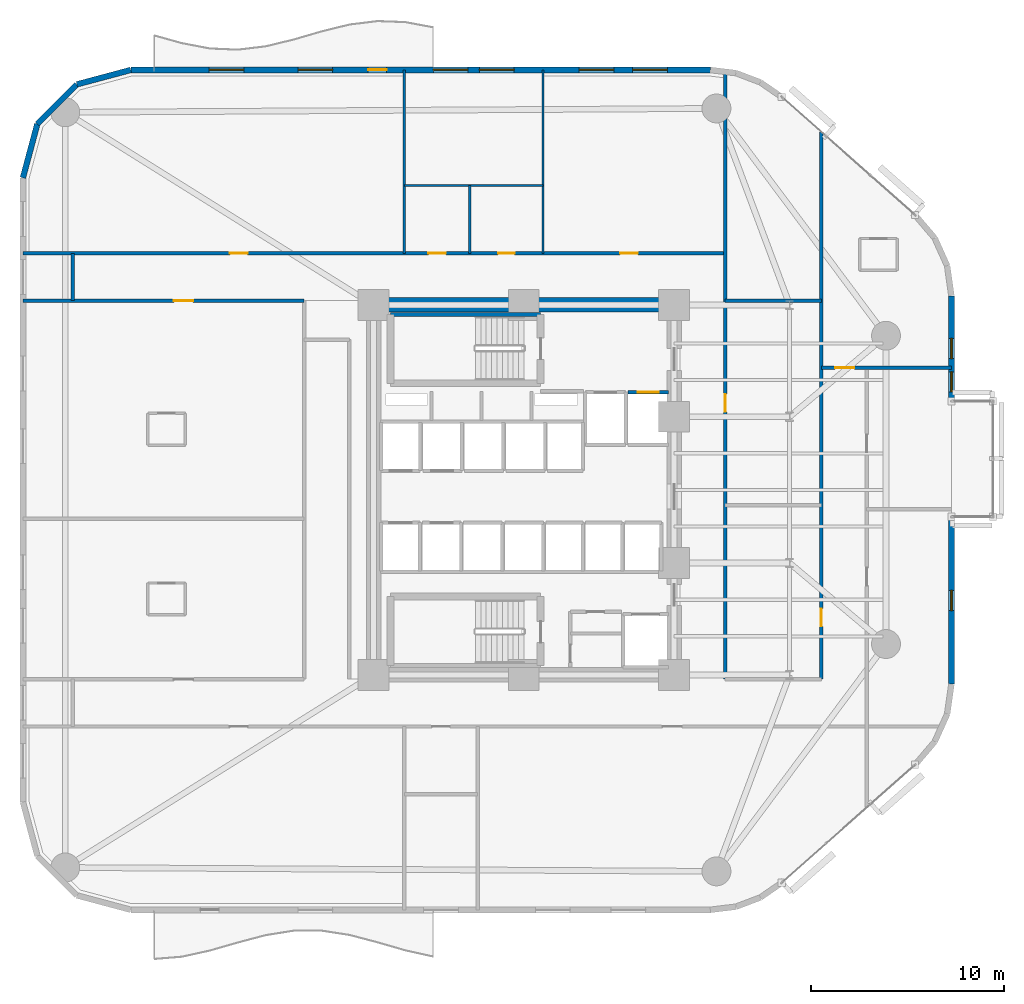
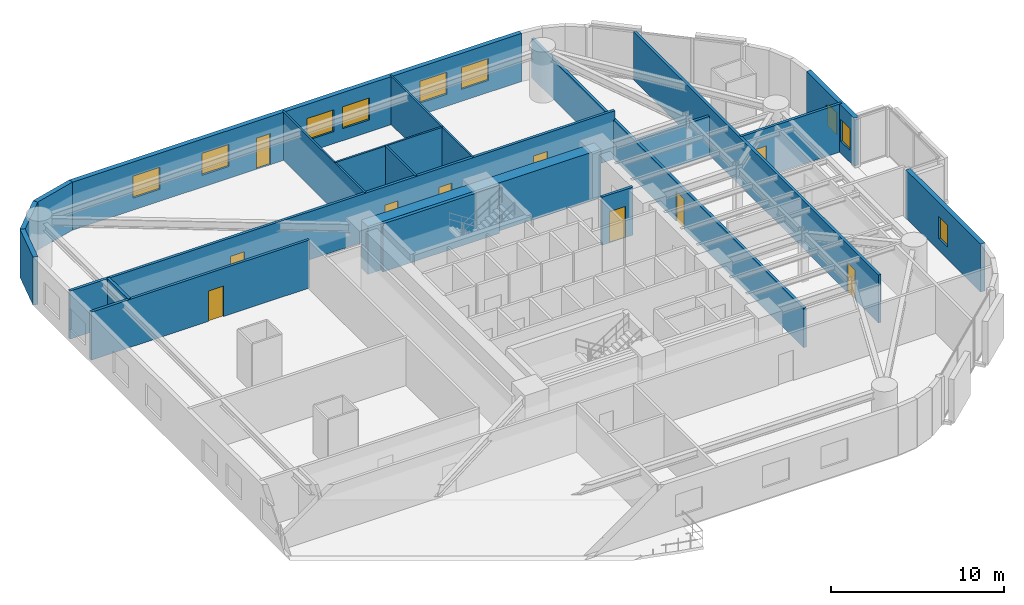
# One storey, part 12 of 16: 20 walls, 10 doors, 9 windows, 19 openings.
"""IFC4 building model written with IfcOpenShell, lengths in metres."""

from ifc_helpers import new_model, si_unit, direction, frame, frame_2d, origin, place, context, subcontext, project, spatial, rectangle, extrude, material, layer, layer_set, type_object, element, fill, save


model = new_model("IFC4")

# Units and contexts
model_context = context("Model", 3, precision=1e-05, world=origin(), true_north=direction((0.0, 1.0)))
body_context = subcontext(model_context, "Body", "Model", "MODEL_VIEW")
ifc_project = project(units=[si_unit("LENGTHUNIT", "METRE"), si_unit("AREAUNIT", "SQUARE_METRE"), si_unit("VOLUMEUNIT", "CUBIC_METRE"), si_unit("PLANEANGLEUNIT", "RADIAN"), si_unit("MASSUNIT", "GRAM", prefix="KILO")], contexts=[model_context])

# Site, building, storey
site_placement = place(None, origin())
site = spatial("IfcSite", under=ifc_project, at=site_placement, CompositionType="ELEMENT")
building_placement = place(site_placement, origin())
building = spatial("IfcBuilding", under=site, at=building_placement, Name="An Khanh Terracotta Commons", CompositionType="ELEMENT")
storey_placement = place(building_placement, frame((0.0, 0.0, 68.39990234375)))
storey = spatial("IfcBuildingStorey", under=building, at=storey_placement, Name="L18", CompositionType="ELEMENT", Elevation=68.39990234375)

# Wall
ifc_material_1 = material(Name="Concrete C70/85", Category="concrete")
ifc_layer_1 = layer(ifc_material_1, 0.75, Name="Concrete C70/85")
ifc_layer_set_1 = layer_set([ifc_layer_1], Name="Concrete C70/85")
wall_type_1 = type_object("IfcWallType", Name="WALL-CORE-750", PredefinedType="SHEAR", material=ifc_layer_set_1)
wall_1_placement = place(storey_placement, frame((21.60009765625, 33.60009765625, 0.0), z_axis=(0.0, 0.0, 1.0), x_axis=(1.0, 0.0, 0.0)))
element("IfcWall", 1, at=wall_1_placement, inside=storey, type_object=wall_type_1, Name="L18 Core Wall CWALL-L18-N", PredefinedType="SHEAR", context=body_context, shape_type="SweptSolid", body=[
    extrude(rectangle(XDim=15.599853515625, YDim=0.75, at=frame_2d((7.7998046875, 0.0))), origin(), (0.0, 0.0, 1.0), 3.400146484375),
])

# Wall, opening, door
ifc_material_2 = material(Name="Fire-Rated Gypsum Board on Steel Stud", Category="steel")
ifc_layer_2 = layer(ifc_material_2, 0.179931640625, Name="Fire-Rated Gypsum Board on Steel Stud")
ifc_layer_set_2 = layer_set([ifc_layer_2], Name="Fire-Rated Gypsum Board on Steel Stud")
wall_type_2 = type_object("IfcWallType", Name="WALL-CORR-180", PredefinedType="PARTITIONING", material=ifc_layer_set_2)
wall_2_placement = place(storey_placement, frame((34.820068359375, 29.080078125, 0.0), z_axis=(0.0, 0.0, 1.0), x_axis=(1.0, 0.0, 0.0)))
wall_2 = element("IfcWall", 2, at=wall_2_placement, inside=storey, type_object=wall_type_2, Name="L18 Core Wall LSH-L18-FFL-02-N", PredefinedType="PARTITIONING", context=body_context, shape_type="SweptSolid", body=[
    extrude(rectangle(XDim=2.079833984375, YDim=0.179931640625, at=frame_2d((1.0400390625, 0.0))), origin(), (0.0, 0.0, 1.0), 3.400146484375),
])
opening_1_placement = place(wall_2_placement, frame((0.489990234375, 0.0, 0.0)))
opening_1 = element("IfcOpeningElement", 3, at=opening_1_placement, cuts=wall_2, Name="Opening LD-FFL-02-L18", PredefinedType="OPENING", context=body_context, shape_type="SweptSolid", body=[
    extrude(rectangle(XDim=1.10009765625, YDim=2.199951171875, at=frame_2d((0.550048828125, 1.10009765625))), frame((0.0, 0.099853515625, 0.0), z_axis=(0.0, -1.0, 0.0), x_axis=(1.0, 0.0, 0.0)), (0.0, 0.0, 1.0), 0.199951171875),
])
ifc_material_3 = material(Name="Brushed Stainless Steel Fire Landing Door", Category="steel")
door_type_1 = type_object("IfcDoorType", Name="DOOR-LD-FFL-1100", OperationType="NOTDEFINED", PredefinedType="DOOR", material=ifc_material_3)
door_1_placement = place(opening_1_placement, origin())
door_1 = element("IfcDoor", 4, at=door_1_placement, inside=storey, type_object=door_type_1, Name="L18 Lift FFL-02 Sliding Landing Door", OperationType="DOUBLE_DOOR_SLIDING", OverallHeight=2.199951171875, OverallWidth=1.10009765625, PredefinedType="DOOR", context=body_context, shape_type="SweptSolid", body=[
    extrude(rectangle(XDim=1.10009765625, YDim=2.199951171875, at=frame_2d((0.550048828125, 1.10009765625))), frame((0.0, 0.02490234375, 0.0), z_axis=(0.0, -1.0, 0.0), x_axis=(1.0, 0.0, 0.0)), (0.0, 0.0, 1.0), 0.050048828125),
])
fill(opening_1, door_1)

wall_3_placement = place(storey_placement, frame((44.85009765625, 30.35009765625, 0.0), z_axis=(0.0, 0.0, 1.0), x_axis=(1.0, 0.0, 0.0)))
wall_3 = element("IfcWall", 5, at=wall_3_placement, inside=storey, type_object=wall_type_2, Name="L18 Interior Partition IW-L18-E008", PredefinedType="PARTITIONING", context=body_context, shape_type="SweptSolid", body=[
    extrude(rectangle(XDim=6.75, YDim=0.179931640625, at=frame_2d((3.375, 0.0))), origin(), (0.0, 0.0, 1.0), 3.400146484375),
])
opening_2_placement = place(wall_3_placement, frame((0.708984375, 0.0, 0.0)))
opening_2 = element("IfcOpeningElement", 6, at=opening_2_placement, cuts=wall_3, Name="Opening D-UN", PredefinedType="OPENING", context=body_context, shape_type="SweptSolid", body=[
    extrude(rectangle(XDim=1.0, YDim=2.14990234375, at=frame_2d((0.5, 1.074951171875))), frame((0.0, 0.099853515625, 0.0), z_axis=(0.0, -1.0, 0.0), x_axis=(1.0, 0.0, 0.0)), (0.0, 0.0, 1.0), 0.199951171875),
])
ifc_material_4 = material(Name="Solid-Core Hardwood Acoustic Fire Door", Category="wood")
door_type_2 = type_object("IfcDoorType", Name="DOOR-UNIT-1000", OperationType="NOTDEFINED", PredefinedType="DOOR", material=ifc_material_4)
door_2_placement = place(opening_2_placement, origin())
door_2 = element("IfcDoor", 7, at=door_2_placement, inside=storey, type_object=door_type_2, Name="L18 NCAP Kitchenette and Studio Apartment Door", OperationType="SINGLE_SWING_RIGHT", OverallHeight=2.14990234375, OverallWidth=1.0, PredefinedType="DOOR", context=body_context, shape_type="SweptSolid", body=[
    extrude(rectangle(XDim=1.0, YDim=2.14990234375, at=frame_2d((0.5, 1.074951171875))), frame((0.0, 0.02490234375, 0.0), z_axis=(0.0, -1.0, 0.0), x_axis=(1.0, 0.0, 0.0)), (0.0, 0.0, 1.0), 0.050048828125),
])
fill(opening_2, door_2)

wall_4_placement = place(storey_placement, frame((3.39990234375, 33.820068359375, 0.0), z_axis=(0.0, 0.0, 1.0), x_axis=(1.0, 0.0, 0.0)))
wall_4 = element("IfcWall", 8, at=wall_4_placement, inside=storey, type_object=wall_type_2, Name="L18 Interior Partition IW-L18-E010", PredefinedType="PARTITIONING", context=body_context, shape_type="SweptSolid", body=[
    extrude(rectangle(XDim=14.60009765625, YDim=0.179931640625, at=frame_2d((7.300048828125, 0.0))), origin(), (0.0, 0.0, 1.0), 3.400146484375),
])
opening_3_placement = place(wall_4_placement, frame((7.840087890625, 0.0, 0.0)))
opening_3 = element("IfcOpeningElement", 9, at=opening_3_placement, cuts=wall_4, Name="Opening D-UN", PredefinedType="OPENING", context=body_context, shape_type="SweptSolid", body=[
    extrude(rectangle(XDim=1.0, YDim=2.14990234375, at=frame_2d((0.5, 1.074951171875))), frame((0.0, 0.099853515625, 0.0), z_axis=(0.0, -1.0, 0.0), x_axis=(1.0, 0.0, 0.0)), (0.0, 0.0, 1.0), 0.199951171875),
])
door_3_placement = place(opening_3_placement, origin())
door_3 = element("IfcDoor", 10, at=door_3_placement, inside=storey, type_object=door_type_2, Name="L18 WW2 Kitchenette and Studio Apartment Door", OperationType="SINGLE_SWING_RIGHT", OverallHeight=2.14990234375, OverallWidth=1.0, PredefinedType="DOOR", context=body_context, shape_type="SweptSolid", body=[
    extrude(rectangle(XDim=1.0, YDim=2.14990234375, at=frame_2d((0.5, 1.074951171875))), frame((0.0, 0.02490234375, 0.0), z_axis=(0.0, -1.0, 0.0), x_axis=(1.0, 0.0, 0.0)), (0.0, 0.0, 1.0), 0.050048828125),
])
fill(opening_3, door_3)

# Wall
wall_5_placement = place(storey_placement, frame((39.85009765625, 33.820068359375, 0.0), z_axis=(0.0, 0.0, 1.0), x_axis=(1.0, 0.0, 0.0)))
element("IfcWall", 11, at=wall_5_placement, inside=storey, type_object=wall_type_2, Name="L18 Interior Partition IW-L18-E011", PredefinedType="PARTITIONING", context=body_context, shape_type="SweptSolid", body=[
    extrude(rectangle(XDim=5.0, YDim=0.179931640625, at=frame_2d((2.5, 0.0))), origin(), (0.0, 0.0, 1.0), 2.781982421875),
])

# Wall, openings, doors
wall_6_placement = place(storey_placement, frame((3.39990234375, 36.280029296875, 0.0), z_axis=(0.0, 0.0, 1.0), x_axis=(1.0, 0.0, 0.0)))
wall_6 = element("IfcWall", 12, at=wall_6_placement, inside=storey, type_object=wall_type_2, Name="L18 Interior Partition IW-L18-E012", PredefinedType="PARTITIONING", context=body_context, shape_type="SweptSolid", body=[
    extrude(rectangle(XDim=36.4501953125, YDim=0.179931640625, at=frame_2d((18.22509765625, 0.0))), origin(), (0.0, 0.0, 1.0), 3.400146484375),
])
opening_4_placement = place(wall_6_placement, frame((21.050048828125, 0.0, 0.0)))
opening_4 = element("IfcOpeningElement", 13, at=opening_4_placement, cuts=wall_6, Name="Opening D-WC", PredefinedType="OPENING", context=body_context, shape_type="SweptSolid", body=[
    extrude(rectangle(XDim=0.89990234375, YDim=2.10009765625, at=frame_2d((0.449951171875, 1.050048828125))), frame((0.0, 0.099853515625, 0.0), z_axis=(0.0, -1.0, 0.0), x_axis=(1.0, 0.0, 0.0)), (0.0, 0.0, 1.0), 0.199951171875),
])
opening_5_placement = place(wall_6_placement, frame((24.669921875, 0.0, 0.0)))
opening_5 = element("IfcOpeningElement", 14, at=opening_5_placement, cuts=wall_6, Name="Opening D-ENS", PredefinedType="OPENING", context=body_context, shape_type="SweptSolid", body=[
    extrude(rectangle(XDim=0.860107421875, YDim=2.10009765625, at=frame_2d((0.43017578125, 1.050048828125))), frame((0.0, 0.099853515625, 0.0), z_axis=(0.0, -1.0, 0.0), x_axis=(1.0, 0.0, 0.0)), (0.0, 0.0, 1.0), 0.199951171875),
])
opening_6_placement = place(wall_6_placement, frame((10.739990234375, 0.0, 0.0)))
opening_6 = element("IfcOpeningElement", 15, at=opening_6_placement, cuts=wall_6, Name="Opening D-RM", PredefinedType="OPENING", context=body_context, shape_type="SweptSolid", body=[
    extrude(rectangle(XDim=0.919921875, YDim=2.10009765625, at=frame_2d((0.4599609375, 1.050048828125))), frame((0.0, 0.099853515625, 0.0), z_axis=(0.0, -1.0, 0.0), x_axis=(1.0, 0.0, 0.0)), (0.0, 0.0, 1.0), 0.199951171875),
])
opening_7_placement = place(wall_6_placement, frame((31.0048828125, 0.0, 0.0)))
opening_7 = element("IfcOpeningElement", 16, at=opening_7_placement, cuts=wall_6, Name="Opening D-RM", PredefinedType="OPENING", context=body_context, shape_type="SweptSolid", body=[
    extrude(rectangle(XDim=0.919921875, YDim=2.10009765625, at=frame_2d((0.4599609375, 1.050048828125))), frame((0.0, 0.099853515625, 0.0), z_axis=(0.0, -1.0, 0.0), x_axis=(1.0, 0.0, 0.0)), (0.0, 0.0, 1.0), 0.199951171875),
])
ifc_material_5 = material(Name="Moisture-Resistant Hardwood Timber Leaf", Category="wood")
door_type_3 = type_object("IfcDoorType", Name="DOOR-BATH-860", OperationType="NOTDEFINED", PredefinedType="DOOR", material=ifc_material_5)
door_4_placement = place(opening_5_placement, origin())
door_4 = element("IfcDoor", 17, at=door_4_placement, inside=storey, type_object=door_type_3, Name="L18 SHW Resident Shared Shower and Washroom Door", OperationType="SINGLE_SWING_RIGHT", OverallHeight=2.10009765625, OverallWidth=0.860107421875, PredefinedType="DOOR", context=body_context, shape_type="SweptSolid", body=[
    extrude(rectangle(XDim=0.860107421875, YDim=2.10009765625, at=frame_2d((0.43017578125, 1.050048828125))), frame((0.0, 0.02490234375, 0.0), z_axis=(0.0, -1.0, 0.0), x_axis=(1.0, 0.0, 0.0)), (0.0, 0.0, 1.0), 0.050048828125),
])
fill(opening_5, door_4)
ifc_material_6 = material(Name="Engineered Hardwood Timber Leaf", Category="wood")
door_type_4 = type_object("IfcDoorType", Name="DOOR-INT-920", OperationType="NOTDEFINED", PredefinedType="DOOR", material=ifc_material_6)
door_5_placement = place(opening_6_placement, origin())
door_5 = element("IfcDoor", 18, at=door_5_placement, inside=storey, type_object=door_type_4, Name="L18 NW1 Academic Seminar Room Door", OperationType="SINGLE_SWING_LEFT", OverallHeight=2.10009765625, OverallWidth=0.919921875, PredefinedType="DOOR", context=body_context, shape_type="SweptSolid", body=[
    extrude(rectangle(XDim=0.919921875, YDim=2.10009765625, at=frame_2d((0.4599609375, 1.050048828125))), frame((0.0, 0.02490234375, 0.0), z_axis=(0.0, -1.0, 0.0), x_axis=(1.0, 0.0, 0.0)), (0.0, 0.0, 1.0), 0.050048828125),
])
fill(opening_6, door_5)
door_6_placement = place(opening_7_placement, origin())
door_6 = element("IfcDoor", 19, at=door_6_placement, inside=storey, type_object=door_type_4, Name="L18 NWE Academic Seminar Room Door", OperationType="SINGLE_SWING_RIGHT", OverallHeight=2.10009765625, OverallWidth=0.919921875, PredefinedType="DOOR", context=body_context, shape_type="SweptSolid", body=[
    extrude(rectangle(XDim=0.919921875, YDim=2.10009765625, at=frame_2d((0.4599609375, 1.050048828125))), frame((0.0, 0.02490234375, 0.0), z_axis=(0.0, -1.0, 0.0), x_axis=(1.0, 0.0, 0.0)), (0.0, 0.0, 1.0), 0.050048828125),
])
fill(opening_7, door_6)
ifc_material_7 = material(Name="Laminate Moisture-Resistant Timber Leaf", Category="wood")
door_type_5 = type_object("IfcDoorType", Name="DOOR-WC-900", OperationType="NOTDEFINED", PredefinedType="DOOR", material=ifc_material_7)
door_7_placement = place(opening_4_placement, origin())
door_7 = element("IfcDoor", 20, at=door_7_placement, inside=storey, type_object=door_type_5, Name="L18 AWC Accessible WC Door", OperationType="SINGLE_SWING_LEFT", OverallHeight=2.10009765625, OverallWidth=0.89990234375, PredefinedType="DOOR", context=body_context, shape_type="SweptSolid", body=[
    extrude(rectangle(XDim=0.89990234375, YDim=2.10009765625, at=frame_2d((0.449951171875, 1.050048828125))), frame((0.0, 0.02490234375, 0.0), z_axis=(0.0, -1.0, 0.0), x_axis=(1.0, 0.0, 0.0)), (0.0, 0.0, 1.0), 0.050048828125),
])
fill(opening_4, door_7)

# Wall
wall_7_placement = place(storey_placement, frame((6.0, 33.820068359375, 0.0), z_axis=(0.0, 0.0, 1.0), x_axis=(0.0, 1.0, 0.0)))
element("IfcWall", 21, at=wall_7_placement, inside=storey, type_object=wall_type_2, Name="L18 Interior Partition IW-L18-E015", PredefinedType="PARTITIONING", context=body_context, shape_type="SweptSolid", body=[
    extrude(rectangle(XDim=2.4599609375, YDim=0.179931640625, at=frame_2d((1.22998046875, 0.0))), origin(), (0.0, 0.0, 1.0), 3.400146484375),
])

# Wall, opening, door
wall_8_placement = place(storey_placement, frame((39.85009765625, 14.179931640625, 0.0), z_axis=(0.0, 0.0, 1.0), x_axis=(0.0, 1.0, 0.0)))
wall_8 = element("IfcWall", 22, at=wall_8_placement, inside=storey, type_object=wall_type_2, Name="L18 Interior Partition IW-L18-E023", PredefinedType="PARTITIONING", context=body_context, shape_type="SweptSolid", body=[
    extrude(rectangle(XDim=31.527099609375, YDim=0.179931640625, at=frame_2d((15.763671875, 0.0))), origin(), (0.0, 0.0, 1.0), 2.781982421875),
])
opening_8_placement = place(wall_8_placement, frame((13.8701171875, 0.0, 0.0)))
opening_8 = element("IfcOpeningElement", 23, at=opening_8_placement, cuts=wall_8, Name="Opening D-RM", PredefinedType="OPENING", context=body_context, shape_type="SweptSolid", body=[
    extrude(rectangle(XDim=0.919921875, YDim=2.10009765625, at=frame_2d((0.4599609375, 1.050048828125))), frame((0.0, 0.099853515625, 0.0), z_axis=(0.0, -1.0, 0.0), x_axis=(1.0, 0.0, 0.0)), (0.0, 0.0, 1.0), 0.199951171875),
])
door_8_placement = place(opening_8_placement, origin())
door_8 = element("IfcDoor", 24, at=door_8_placement, inside=storey, type_object=door_type_4, Name="L18 WSP2 Academic Seminar Room Door", OperationType="SINGLE_SWING_LEFT", OverallHeight=2.10009765625, OverallWidth=0.919921875, PredefinedType="DOOR", context=body_context, shape_type="SweptSolid", body=[
    extrude(rectangle(XDim=0.919921875, YDim=2.10009765625, at=frame_2d((0.4599609375, 1.050048828125))), frame((0.0, 0.02490234375, 0.0), z_axis=(0.0, -1.0, 0.0), x_axis=(1.0, 0.0, 0.0)), (0.0, 0.0, 1.0), 0.050048828125),
])
fill(opening_8, door_8)

wall_9_placement = place(storey_placement, frame((44.85009765625, 14.179931640625, 0.0), z_axis=(0.0, 0.0, 1.0), x_axis=(0.0, 1.0, 0.0)))
wall_9 = element("IfcWall", 25, at=wall_9_placement, inside=storey, type_object=wall_type_2, Name="L18 Interior Partition IW-L18-E024", PredefinedType="PARTITIONING", context=body_context, shape_type="SweptSolid", body=[
    extrude(rectangle(XDim=28.39111328125, YDim=0.179931640625, at=frame_2d((14.195556640625, 0.0))), origin(), (0.0, 0.0, 1.0), 3.400146484375),
])
opening_9_placement = place(wall_9_placement, frame((2.73388671875, 0.0, 0.0)))
opening_9 = element("IfcOpeningElement", 26, at=opening_9_placement, cuts=wall_9, Name="Opening D-RM", PredefinedType="OPENING", context=body_context, shape_type="SweptSolid", body=[
    extrude(rectangle(XDim=0.919921875, YDim=2.10009765625, at=frame_2d((0.4599609375, 1.050048828125))), frame((0.0, 0.099853515625, 0.0), z_axis=(0.0, -1.0, 0.0), x_axis=(1.0, 0.0, 0.0)), (0.0, 0.0, 1.0), 0.199951171875),
])
door_9_placement = place(opening_9_placement, origin())
door_9 = element("IfcDoor", 27, at=door_9_placement, inside=storey, type_object=door_type_4, Name="L18 WSP1 Collaborative Study Lounge Door", OperationType="SINGLE_SWING_RIGHT", OverallHeight=2.10009765625, OverallWidth=0.919921875, PredefinedType="DOOR", context=body_context, shape_type="SweptSolid", body=[
    extrude(rectangle(XDim=0.919921875, YDim=2.10009765625, at=frame_2d((0.4599609375, 1.050048828125))), frame((0.0, 0.02490234375, 0.0), z_axis=(0.0, -1.0, 0.0), x_axis=(1.0, 0.0, 0.0)), (0.0, 0.0, 1.0), 0.050048828125),
])
fill(opening_9, door_9)

# Wall, opening, window
ifc_material_8 = material(Name="Precast concrete C40/50", Category="concrete")
ifc_layer_3 = layer(ifc_material_8, 0.300048828125, Name="Precast concrete C40/50")
ifc_layer_set_3 = layer_set([ifc_layer_3], Name="Precast concrete C40/50")
wall_type_3 = type_object("IfcWallType", Name="WALL-EXT-300", PredefinedType="SOLIDWALL", material=ifc_layer_set_3)
wall_10_placement = place(storey_placement, frame((51.60009765625, 13.923095703125, 0.0), z_axis=(0.0, 0.0, 1.0), x_axis=(0.0, 1.0, 0.0)))
wall_10 = element("IfcWall", 28, at=wall_10_placement, inside=storey, type_object=wall_type_3, Name="L18 East Nose Wall South", PredefinedType="SOLIDWALL", context=body_context, shape_type="SweptSolid", body=[
    extrude(rectangle(XDim=8.677001953125, YDim=0.300048828125, at=frame_2d((4.33837890625, 0.0))), origin(), (0.0, 0.0, 1.0), 3.400146484375),
])
opening_10_placement = place(wall_10_placement, frame((3.81396484375, 0.0, 0.85009765625)))
opening_10 = element("IfcOpeningElement", 29, at=opening_10_placement, cuts=wall_10, Name="Opening W-06", PredefinedType="OPENING", context=body_context, shape_type="SweptSolid", body=[
    extrude(rectangle(XDim=1.050048828125, YDim=1.550048828125, at=frame_2d((0.52490234375, 0.77490234375))), frame((0.0, 0.159912109375, 0.0), z_axis=(0.0, -1.0, 0.0), x_axis=(1.0, 0.0, 0.0)), (0.0, 0.0, 1.0), 0.320068359375),
])
ifc_material_9 = material(Name="Thermally Broken Aluminium and Low-E Glass", Category="aluminium")
window_type_1 = type_object("IfcWindowType", Name="WIN-COR-1050x1550", PartitioningType="SINGLE_PANEL", PredefinedType="WINDOW", material=ifc_material_9)
window_1_placement = place(opening_10_placement, origin())
window_1 = element("IfcWindow", 30, at=window_1_placement, inside=storey, type_object=window_type_1, Name="L18 East Nose South Casement Window", OverallHeight=1.550048828125, OverallWidth=1.050048828125, PartitioningType="SINGLE_PANEL", PredefinedType="WINDOW", context=body_context, shape_type="SweptSolid", body=[
    extrude(rectangle(XDim=1.050048828125, YDim=1.550048828125, at=frame_2d((0.52490234375, 0.77490234375))), frame((0.0, 0.030029296875, 0.0), z_axis=(0.0, -1.0, 0.0), x_axis=(1.0, 0.0, 0.0)), (0.0, 0.0, 1.0), 0.06005859375),
])
fill(opening_10, window_1)

# Wall, openings, windows
wall_11_placement = place(storey_placement, frame((51.60009765625, 28.60009765625, 0.0), z_axis=(0.0, 0.0, 1.0), x_axis=(0.0, 1.0, 0.0)))
wall_11 = element("IfcWall", 31, at=wall_11_placement, inside=storey, type_object=wall_type_3, Name="L18 East Nose Wall North", PredefinedType="SOLIDWALL", context=body_context, shape_type="SweptSolid", body=[
    extrude(rectangle(XDim=5.476806640625, YDim=0.300048828125, at=frame_2d((2.73828125, 0.0))), origin(), (0.0, 0.0, 1.0), 3.400146484375),
])
opening_11_placement = place(wall_11_placement, frame((2.212890625, 0.0, 0.85009765625)))
opening_11 = element("IfcOpeningElement", 32, at=opening_11_placement, cuts=wall_11, Name="Opening W-06", PredefinedType="OPENING", context=body_context, shape_type="SweptSolid", body=[
    extrude(rectangle(XDim=1.050048828125, YDim=1.550048828125, at=frame_2d((0.52490234375, 0.77490234375))), frame((0.0, 0.159912109375, 0.0), z_axis=(0.0, -1.0, 0.0), x_axis=(1.0, 0.0, 0.0)), (0.0, 0.0, 1.0), 0.320068359375),
])
opening_12_placement = place(wall_11_placement, frame((0.48291015625, 0.0, 0.85009765625)))
opening_12 = element("IfcOpeningElement", 33, at=opening_12_placement, cuts=wall_11, Name="Opening W-06", PredefinedType="OPENING", context=body_context, shape_type="SweptSolid", body=[
    extrude(rectangle(XDim=1.050048828125, YDim=1.550048828125, at=frame_2d((0.52490234375, 0.77490234375))), frame((0.0, 0.159912109375, 0.0), z_axis=(0.0, -1.0, 0.0), x_axis=(1.0, 0.0, 0.0)), (0.0, 0.0, 1.0), 0.320068359375),
])
window_2_placement = place(opening_11_placement, origin())
window_2 = element("IfcWindow", 34, at=window_2_placement, inside=storey, type_object=window_type_1, Name="L18 East Nose North Casement Window", OverallHeight=1.550048828125, OverallWidth=1.050048828125, PartitioningType="SINGLE_PANEL", PredefinedType="WINDOW", context=body_context, shape_type="SweptSolid", body=[
    extrude(rectangle(XDim=1.050048828125, YDim=1.550048828125, at=frame_2d((0.52490234375, 0.77490234375))), frame((0.0, 0.030029296875, 0.0), z_axis=(0.0, -1.0, 0.0), x_axis=(1.0, 0.0, 0.0)), (0.0, 0.0, 1.0), 0.06005859375),
])
fill(opening_11, window_2)
window_3_placement = place(opening_12_placement, origin())
window_3 = element("IfcWindow", 35, at=window_3_placement, inside=storey, type_object=window_type_1, Name="L18 L18-ENO1 Dwelling Casement Window", OverallHeight=1.550048828125, OverallWidth=1.050048828125, PartitioningType="SINGLE_PANEL", PredefinedType="WINDOW", context=body_context, shape_type="SweptSolid", body=[
    extrude(rectangle(XDim=1.050048828125, YDim=1.550048828125, at=frame_2d((0.52490234375, 0.77490234375))), frame((0.0, 0.030029296875, 0.0), z_axis=(0.0, -1.0, 0.0), x_axis=(1.0, 0.0, 0.0)), (0.0, 0.0, 1.0), 0.06005859375),
])
fill(opening_12, window_3)

# Wall, openings, door, windows
wall_12_placement = place(storey_placement, frame((39.0791015625, 45.800048828125, 0.0), z_axis=(0.0, 0.0, 1.0), x_axis=(-1.0, 0.0, 0.0)))
wall_12 = element("IfcWall", 36, at=wall_12_placement, inside=storey, type_object=wall_type_3, Name="L18 Insulated Terracotta Exterior Wall 20", PredefinedType="SOLIDWALL", context=body_context, shape_type="SweptSolid", body=[
    extrude(rectangle(XDim=30.0791015625, YDim=0.300048828125, at=frame_2d((15.03955078125, 0.0))), origin(), (0.0, 0.0, 1.0), 3.400146484375),
])
opening_13_placement = place(wall_12_placement, frame((16.803955078125, 0.0, 0.0)))
opening_13 = element("IfcOpeningElement", 37, at=opening_13_placement, cuts=wall_12, Name="Opening D-BAL", PredefinedType="OPENING", context=body_context, shape_type="SweptSolid", body=[
    extrude(rectangle(XDim=0.949951171875, YDim=2.199951171875, at=frame_2d((0.47509765625, 1.10009765625))), frame((0.0, 0.159912109375, 0.0), z_axis=(0.0, -1.0, 0.0), x_axis=(1.0, 0.0, 0.0)), (0.0, 0.0, 1.0), 0.320068359375),
])
opening_14_placement = place(wall_12_placement, frame((2.22607421875, 0.0, 0.85009765625)))
opening_14 = element("IfcOpeningElement", 38, at=opening_14_placement, cuts=wall_12, Name="Opening W-01", PredefinedType="OPENING", context=body_context, shape_type="SweptSolid", body=[
    extrude(rectangle(XDim=1.800048828125, YDim=1.550048828125, at=frame_2d((0.89990234375, 0.77490234375))), frame((0.0, 0.159912109375, 0.0), z_axis=(0.0, -1.0, 0.0), x_axis=(1.0, 0.0, 0.0)), (0.0, 0.0, 1.0), 0.320068359375),
])
opening_15_placement = place(wall_12_placement, frame((5.0029296875, 0.0, 0.85009765625)))
opening_15 = element("IfcOpeningElement", 39, at=opening_15_placement, cuts=wall_12, Name="Opening W-01", PredefinedType="OPENING", context=body_context, shape_type="SweptSolid", body=[
    extrude(rectangle(XDim=1.800048828125, YDim=1.550048828125, at=frame_2d((0.89990234375, 0.77490234375))), frame((0.0, 0.159912109375, 0.0), z_axis=(0.0, -1.0, 0.0), x_axis=(1.0, 0.0, 0.0)), (0.0, 0.0, 1.0), 0.320068359375),
])
opening_16_placement = place(wall_12_placement, frame((10.178955078125, 0.0, 0.85009765625)))
opening_16 = element("IfcOpeningElement", 40, at=opening_16_placement, cuts=wall_12, Name="Opening W-01", PredefinedType="OPENING", context=body_context, shape_type="SweptSolid", body=[
    extrude(rectangle(XDim=1.800048828125, YDim=1.550048828125, at=frame_2d((0.89990234375, 0.77490234375))), frame((0.0, 0.159912109375, 0.0), z_axis=(0.0, -1.0, 0.0), x_axis=(1.0, 0.0, 0.0)), (0.0, 0.0, 1.0), 0.320068359375),
])
opening_17_placement = place(wall_12_placement, frame((12.5791015625, 0.0, 0.85009765625)))
opening_17 = element("IfcOpeningElement", 41, at=opening_17_placement, cuts=wall_12, Name="Opening W-01", PredefinedType="OPENING", context=body_context, shape_type="SweptSolid", body=[
    extrude(rectangle(XDim=1.800048828125, YDim=1.550048828125, at=frame_2d((0.89990234375, 0.77490234375))), frame((0.0, 0.159912109375, 0.0), z_axis=(0.0, -1.0, 0.0), x_axis=(1.0, 0.0, 0.0)), (0.0, 0.0, 1.0), 0.320068359375),
])
opening_18_placement = place(wall_12_placement, frame((19.595947265625, 0.0, 0.85009765625)))
opening_18 = element("IfcOpeningElement", 42, at=opening_18_placement, cuts=wall_12, Name="Opening W-01", PredefinedType="OPENING", context=body_context, shape_type="SweptSolid", body=[
    extrude(rectangle(XDim=1.800048828125, YDim=1.550048828125, at=frame_2d((0.89990234375, 0.77490234375))), frame((0.0, 0.159912109375, 0.0), z_axis=(0.0, -1.0, 0.0), x_axis=(1.0, 0.0, 0.0)), (0.0, 0.0, 1.0), 0.320068359375),
])
opening_19_placement = place(wall_12_placement, frame((24.2119140625, 0.0, 0.85009765625)))
opening_19 = element("IfcOpeningElement", 43, at=opening_19_placement, cuts=wall_12, Name="Opening W-01", PredefinedType="OPENING", context=body_context, shape_type="SweptSolid", body=[
    extrude(rectangle(XDim=1.800048828125, YDim=1.550048828125, at=frame_2d((0.89990234375, 0.77490234375))), frame((0.0, 0.159912109375, 0.0), z_axis=(0.0, -1.0, 0.0), x_axis=(1.0, 0.0, 0.0)), (0.0, 0.0, 1.0), 0.320068359375),
])
door_type_6 = type_object("IfcDoorType", Name="DOOR-BALC-950", OperationType="NOTDEFINED", PredefinedType="DOOR", material=ifc_material_9)
door_10_placement = place(opening_13_placement, origin())
door_10 = element("IfcDoor", 44, at=door_10_placement, inside=storey, type_object=door_type_6, Name="L18 N Wave Balcony Glazed Door", OperationType="SINGLE_SWING_RIGHT", OverallHeight=2.199951171875, OverallWidth=0.949951171875, PredefinedType="DOOR", context=body_context, shape_type="SweptSolid", body=[
    extrude(rectangle(XDim=0.949951171875, YDim=2.199951171875, at=frame_2d((0.47509765625, 1.10009765625))), frame((0.0, 0.02490234375, 0.0), z_axis=(0.0, -1.0, 0.0), x_axis=(1.0, 0.0, 0.0)), (0.0, 0.0, 1.0), 0.050048828125),
])
fill(opening_13, door_10)
window_type_2 = type_object("IfcWindowType", Name="WIN-Z1-1800x1550", PartitioningType="DOUBLE_PANEL_VERTICAL", PredefinedType="WINDOW", material=ifc_material_9)
window_4_placement = place(opening_14_placement, origin())
window_4 = element("IfcWindow", 45, at=window_4_placement, inside=storey, type_object=window_type_2, Name="L18 Operable Casement Window 20.1", OverallHeight=1.550048828125, OverallWidth=1.800048828125, PartitioningType="DOUBLE_PANEL_VERTICAL", PredefinedType="WINDOW", context=body_context, shape_type="SweptSolid", body=[
    extrude(rectangle(XDim=1.800048828125, YDim=1.550048828125, at=frame_2d((0.89990234375, 0.77490234375))), frame((0.0, 0.030029296875, 0.0), z_axis=(0.0, -1.0, 0.0), x_axis=(1.0, 0.0, 0.0)), (0.0, 0.0, 1.0), 0.06005859375),
])
fill(opening_14, window_4)
window_5_placement = place(opening_15_placement, origin())
window_5 = element("IfcWindow", 46, at=window_5_placement, inside=storey, type_object=window_type_2, Name="L18 Operable Casement Window 20.2", OverallHeight=1.550048828125, OverallWidth=1.800048828125, PartitioningType="DOUBLE_PANEL_VERTICAL", PredefinedType="WINDOW", context=body_context, shape_type="SweptSolid", body=[
    extrude(rectangle(XDim=1.800048828125, YDim=1.550048828125, at=frame_2d((0.89990234375, 0.77490234375))), frame((0.0, 0.030029296875, 0.0), z_axis=(0.0, -1.0, 0.0), x_axis=(1.0, 0.0, 0.0)), (0.0, 0.0, 1.0), 0.06005859375),
])
fill(opening_15, window_5)
window_6_placement = place(opening_16_placement, origin())
window_6 = element("IfcWindow", 47, at=window_6_placement, inside=storey, type_object=window_type_2, Name="L18 Operable Casement Window 20.3", OverallHeight=1.550048828125, OverallWidth=1.800048828125, PartitioningType="DOUBLE_PANEL_VERTICAL", PredefinedType="WINDOW", context=body_context, shape_type="SweptSolid", body=[
    extrude(rectangle(XDim=1.800048828125, YDim=1.550048828125, at=frame_2d((0.89990234375, 0.77490234375))), frame((0.0, 0.030029296875, 0.0), z_axis=(0.0, -1.0, 0.0), x_axis=(1.0, 0.0, 0.0)), (0.0, 0.0, 1.0), 0.06005859375),
])
fill(opening_16, window_6)
window_7_placement = place(opening_17_placement, origin())
window_7 = element("IfcWindow", 48, at=window_7_placement, inside=storey, type_object=window_type_2, Name="L18 Operable Casement Window 20.4", OverallHeight=1.550048828125, OverallWidth=1.800048828125, PartitioningType="DOUBLE_PANEL_VERTICAL", PredefinedType="WINDOW", context=body_context, shape_type="SweptSolid", body=[
    extrude(rectangle(XDim=1.800048828125, YDim=1.550048828125, at=frame_2d((0.89990234375, 0.77490234375))), frame((0.0, 0.030029296875, 0.0), z_axis=(0.0, -1.0, 0.0), x_axis=(1.0, 0.0, 0.0)), (0.0, 0.0, 1.0), 0.06005859375),
])
fill(opening_17, window_7)
window_8_placement = place(opening_18_placement, origin())
window_8 = element("IfcWindow", 49, at=window_8_placement, inside=storey, type_object=window_type_2, Name="L18 Operable Casement Window 20.5", OverallHeight=1.550048828125, OverallWidth=1.800048828125, PartitioningType="DOUBLE_PANEL_VERTICAL", PredefinedType="WINDOW", context=body_context, shape_type="SweptSolid", body=[
    extrude(rectangle(XDim=1.800048828125, YDim=1.550048828125, at=frame_2d((0.89990234375, 0.77490234375))), frame((0.0, 0.030029296875, 0.0), z_axis=(0.0, -1.0, 0.0), x_axis=(1.0, 0.0, 0.0)), (0.0, 0.0, 1.0), 0.06005859375),
])
fill(opening_18, window_8)
window_9_placement = place(opening_19_placement, origin())
window_9 = element("IfcWindow", 50, at=window_9_placement, inside=storey, type_object=window_type_2, Name="L18 Operable Casement Window 20.6", OverallHeight=1.550048828125, OverallWidth=1.800048828125, PartitioningType="DOUBLE_PANEL_VERTICAL", PredefinedType="WINDOW", context=body_context, shape_type="SweptSolid", body=[
    extrude(rectangle(XDim=1.800048828125, YDim=1.550048828125, at=frame_2d((0.89990234375, 0.77490234375))), frame((0.0, 0.030029296875, 0.0), z_axis=(0.0, -1.0, 0.0), x_axis=(1.0, 0.0, 0.0)), (0.0, 0.0, 1.0), 0.06005859375),
])
fill(opening_19, window_9)

# Walls
wall_13_placement = place(storey_placement, frame((9.0, 45.800048828125, 0.0), z_axis=(0.0, 0.0, 1.0), x_axis=(-0.96594917914, -0.258731875344, 0.0)))
element("IfcWall", 51, at=wall_13_placement, inside=storey, type_object=wall_type_3, Name="L18 Insulated Terracotta Exterior Wall 21", PredefinedType="SOLIDWALL", context=body_context, shape_type="SweptSolid", body=[
    extrude(rectangle(XDim=2.898681640625, YDim=0.300048828125, at=frame_2d((1.44921875, 0.0))), origin(), (0.0, 0.0, 1.0), 3.400146484375),
])
wall_14_placement = place(storey_placement, frame((6.199951171875, 45.050048828125, 0.0), z_axis=(0.0, 0.0, 1.0), x_axis=(-0.707106781187, -0.707106781187, 0.0)))
element("IfcWall", 52, at=wall_14_placement, inside=storey, type_object=wall_type_3, Name="L18 Insulated Terracotta Exterior Wall 22", PredefinedType="SOLIDWALL", context=body_context, shape_type="SweptSolid", body=[
    extrude(rectangle(XDim=2.899169921875, YDim=0.300048828125, at=frame_2d((1.44970703125, 0.0))), origin(), (0.0, 0.0, 1.0), 3.400146484375),
])
wall_15_placement = place(storey_placement, frame((4.14990234375, 43.0, 0.0), z_axis=(0.0, 0.0, 1.0), x_axis=(-0.258731875344, -0.96594917914, 0.0)))
element("IfcWall", 53, at=wall_15_placement, inside=storey, type_object=wall_type_3, Name="L18 Insulated Terracotta Exterior Wall 23", PredefinedType="SOLIDWALL", context=body_context, shape_type="SweptSolid", body=[
    extrude(rectangle(XDim=2.898681640625, YDim=0.300048828125, at=frame_2d((1.44921875, 0.0))), origin(), (0.0, 0.0, 1.0), 3.400146484375),
])
ifc_material_10 = material(Name="Acoustic Double-Stud Gypsum and Mineral Wool")
ifc_layer_4 = layer(ifc_material_10, 0.219970703125, Name="Acoustic Double-Stud Gypsum and Mineral Wool")
ifc_layer_set_4 = layer_set([ifc_layer_4], Name="Acoustic Double-Stud Gypsum and Mineral Wool")
wall_type_4 = type_object("IfcWallType", Name="WALL-PARTY-220", PredefinedType="PARTITIONING", material=ifc_layer_set_4)
wall_16_placement = place(storey_placement, frame((22.47998046875, 33.110107421875, 0.0), z_axis=(0.0, 0.0, 1.0), x_axis=(1.0, 0.0, 0.0)))
element("IfcWall", 54, at=wall_16_placement, inside=storey, type_object=wall_type_4, Name="L18 Core Wall STW-L18-N-N", PredefinedType="PARTITIONING", context=body_context, shape_type="SweptSolid", body=[
    extrude(rectangle(XDim=7.7900390625, YDim=0.219970703125, at=frame_2d((3.89501953125, 0.0))), origin(), (0.0, 0.0, 1.0), 3.400146484375),
])
ifc_material_11 = material(Name="Moisture-Resistant Cement Board Partition")
ifc_layer_5 = layer(ifc_material_11, 0.1201171875, Name="Moisture-Resistant Cement Board Partition")
ifc_layer_set_5 = layer_set([ifc_layer_5], Name="Moisture-Resistant Cement Board Partition")
wall_type_5 = type_object("IfcWallType", Name="WALL-WET-120", PredefinedType="PARTITIONING", material=ifc_layer_set_5)
wall_17_placement = place(storey_placement, frame((23.199951171875, 39.800048828125, 0.0), z_axis=(0.0, 0.0, 1.0), x_axis=(1.0, 0.0, 0.0)))
element("IfcWall", 55, at=wall_17_placement, inside=storey, type_object=wall_type_5, Name="L18 Interior Partition IW-L18-E013", PredefinedType="PARTITIONING", context=body_context, shape_type="SweptSolid", body=[
    extrude(rectangle(XDim=7.199951171875, YDim=0.1201171875, at=frame_2d((3.60009765625, 0.0))), origin(), (0.0, 0.0, 1.0), 3.400146484375),
])
wall_18_placement = place(storey_placement, frame((23.199951171875, 36.280029296875, 0.0), z_axis=(0.0, 0.0, 1.0), x_axis=(0.0, 1.0, 0.0)))
element("IfcWall", 56, at=wall_18_placement, inside=storey, type_object=wall_type_5, Name="L18 Interior Partition IW-L18-E019", PredefinedType="PARTITIONING", context=body_context, shape_type="SweptSolid", body=[
    extrude(rectangle(XDim=9.52001953125, YDim=0.1201171875, at=frame_2d((4.760009765625, 0.0))), origin(), (0.0, 0.0, 1.0), 3.400146484375),
])
wall_19_placement = place(storey_placement, frame((26.60009765625, 36.280029296875, 0.0), z_axis=(0.0, 0.0, 1.0), x_axis=(0.0, 1.0, 0.0)))
element("IfcWall", 57, at=wall_19_placement, inside=storey, type_object=wall_type_5, Name="L18 Interior Partition IW-L18-E020", PredefinedType="PARTITIONING", context=body_context, shape_type="SweptSolid", body=[
    extrude(rectangle(XDim=3.52001953125, YDim=0.1201171875, at=frame_2d((1.760009765625, 0.0))), origin(), (0.0, 0.0, 1.0), 3.400146484375),
])
wall_20_placement = place(storey_placement, frame((30.39990234375, 36.280029296875, 0.0), z_axis=(0.0, 0.0, 1.0), x_axis=(0.0, 1.0, 0.0)))
element("IfcWall", 58, at=wall_20_placement, inside=storey, type_object=wall_type_5, Name="L18 Interior Partition IW-L18-E022", PredefinedType="PARTITIONING", context=body_context, shape_type="SweptSolid", body=[
    extrude(rectangle(XDim=9.52001953125, YDim=0.1201171875, at=frame_2d((4.760009765625, 0.0))), origin(), (0.0, 0.0, 1.0), 3.400146484375),
])

save(model, "model.ifc")
